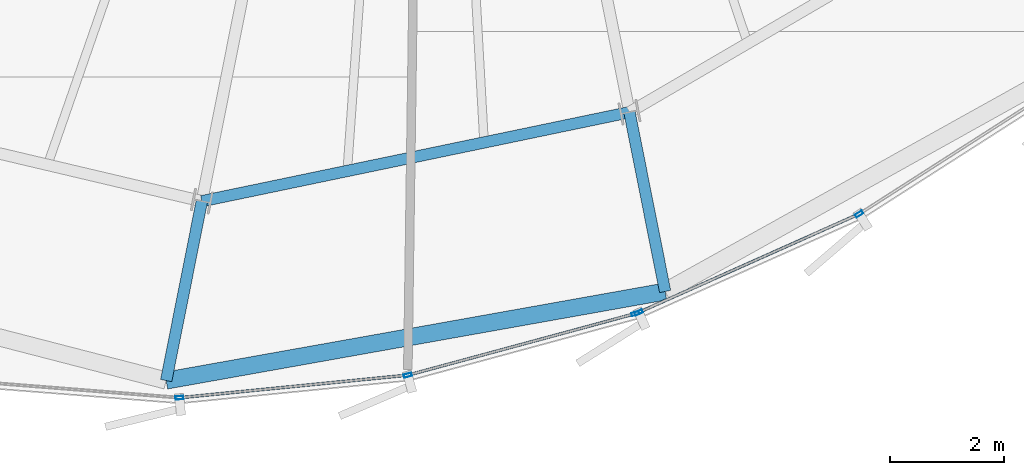
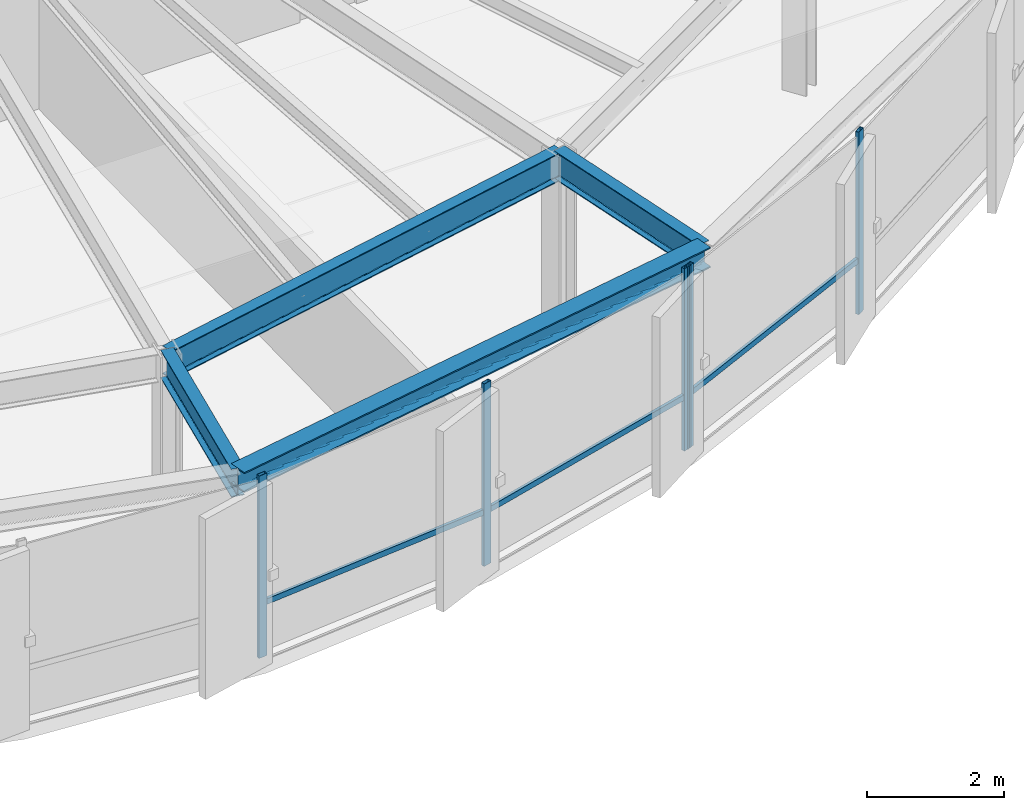
# One storey, part 6 of 34: 8 members, 4 beams, 2 elements without a shape of their own.
"""IFC4 building model written with IfcOpenShell, lengths in metres."""

from ifc_helpers import new_model, si_unit, direction, frame, origin, origin_2d, place, context, subcontext, project, spatial, hollow_rectangle, i_section, extrude, source, transform, mapped, material, layer, layer_set, material_profile, profile_set, type_object, element, aggregate, save


model = new_model("IFC4")

# Units and contexts
model_context = context("Model", 3, precision=1e-05, world=origin(), true_north=direction((0.0, 1.0)))
body_context = subcontext(model_context, "Body", "Model", "MODEL_VIEW")
ifc_project = project(units=[si_unit("LENGTHUNIT", "METRE"), si_unit("AREAUNIT", "SQUARE_METRE"), si_unit("VOLUMEUNIT", "CUBIC_METRE"), si_unit("PLANEANGLEUNIT", "RADIAN"), si_unit("MASSUNIT", "GRAM", prefix="KILO"), si_unit("THERMODYNAMICTEMPERATUREUNIT", "KELVIN")], contexts=[model_context])

# Site, building, storey
site_placement = place(None, origin())
site = spatial("IfcSite", under=ifc_project, at=site_placement, CompositionType="ELEMENT")
building_placement = place(site_placement, origin())
building = spatial("IfcBuilding", under=site, at=building_placement, Name="Kethvar Cultural Tower", CompositionType="ELEMENT")
storey_placement = place(building_placement, frame((0.0, 0.0, 214.89990234375)))
storey = spatial("IfcBuildingStorey", under=building, at=storey_placement, Name="L56", CompositionType="ELEMENT", Elevation=214.89990234375)

# Beams
ifc_material_1 = material(Name="Steel S355J2", Category="steel")
ifc_material_profile_1 = material_profile(ifc_material_1, i_section(OverallWidth=0.199951171875, OverallDepth=0.5, WebThickness=0.01025390625, FlangeThickness=0.01611328125, FilletRadius=0.02099609375, at=origin_2d()), Name="Steel S355J2 — IPE500")
ifc_profile_set_1 = profile_set([ifc_material_profile_1], Name="Steel S355J2 — IPE500")
beam_type_1 = type_object("IfcBeamType", Name="BM-IPE500", PredefinedType="BEAM", material=ifc_profile_set_1)
shared_shape_1 = source(origin(), body_context, "Body", "SweptSolid", [
    extrude(i_section(OverallWidth=0.199951171875, OverallDepth=0.5, WebThickness=0.01025390625, FlangeThickness=0.01611328125, FilletRadius=0.02099609375, at=origin_2d()), origin(), (0.0, 0.0, 1.0), 3.199951171875),
])
for number, where, z_axis, x_axis, name in (
    (1, (42.903564453125, 8.2109375, 2.988037109375), (-0.195088965533, -0.980785550224, 0.0), (0.980785550224, -0.195088965533, 0.0), "L56 Perimeter Cantilever Beam RC-12"),
    (2, (50.38671875, 9.7685546875, 2.988037109375), (0.195088965533, -0.980785550224, 0.0), (0.980785550224, 0.195088965533, 0.0), "L56 Perimeter Cantilever Beam RC-13"),
):
    element("IfcBeam", number, at=place(storey_placement, frame(where, z_axis=z_axis, x_axis=x_axis)), inside=storey, type_object=beam_type_1, Name=name, PredefinedType="BEAM", context=body_context, shape_type="MappedRepresentation", body=[
        mapped(shared_shape_1, transform((0.0, 0.0, 0.0), scale=1.0)),
    ])
shared_shape_2 = source(origin(), body_context, "Body", "SweptSolid", [
    extrude(i_section(OverallWidth=0.199951171875, OverallDepth=0.5, WebThickness=0.01025390625, FlangeThickness=0.01611328125, FilletRadius=0.02099609375, at=origin_2d()), origin(), (0.0, 0.0, 1.0), 7.6435546875),
])
beam_1_placement = place(storey_placement, frame((42.903564453125, 8.2109375, 2.988037109375), z_axis=(0.979016278161, 0.203782057834, 0.0), x_axis=(-0.203782057834, 0.979016278161, 0.0)))
element("IfcBeam", 3, at=beam_1_placement, inside=storey, type_object=beam_type_1, Name="L56 Column Ring Tie Beam CR-12", PredefinedType="BEAM", context=body_context, shape_type="MappedRepresentation", body=[
    mapped(shared_shape_2, transform((0.0, 0.0, 0.0), scale=1.0)),
])
ifc_material_profile_2 = material_profile(ifc_material_1, i_section(OverallWidth=0.300048828125, OverallDepth=0.360107421875, WebThickness=0.012451171875, FlangeThickness=0.0224609375, FilletRadius=0.027099609375, at=origin_2d()), Name="Steel S355J2 — HEB360")
ifc_profile_set_2 = profile_set([ifc_material_profile_2], Name="Steel S355J2 — HEB360")
beam_type_2 = type_object("IfcBeamType", Name="BM-SP360", PredefinedType="SPANDREL", material=ifc_profile_set_2)
shared_shape_3 = source(origin(), body_context, "Body", "SweptSolid", [
    extrude(i_section(OverallWidth=0.300048828125, OverallDepth=0.360107421875, WebThickness=0.012451171875, FlangeThickness=0.0224609375, FilletRadius=0.027099609375, at=origin_2d()), origin(), (0.0, 0.0, 1.0), 8.86962890625),
])
beam_2_placement = place(storey_placement, frame((42.279296875, 5.072509765625, 3.05810546875), z_axis=(0.984459032332, 0.175614389103, 0.0), x_axis=(-0.175614389103, 0.984459032332, 0.0)))
element("IfcBeam", 4, at=beam_2_placement, inside=storey, type_object=beam_type_2, Name="L56 Perimeter Spandrel Beam SP-12", PredefinedType="SPANDREL", context=body_context, shape_type="MappedRepresentation", body=[
    mapped(shared_shape_3, transform((0.0, 0.0, 0.0), scale=1.0)),
])

# Curtain wall, members
ifc_material_2 = material(Name="Aluminium 6063-T6", Category="aluminium")
ifc_layer = layer(ifc_material_2, 0.179931640625, Name="Aluminium 6063-T6", Category="aluminium")
ifc_layer_set = layer_set([ifc_layer], Name="Aluminium 6063-T6 (180 mm)")
curtain_wall_type = type_object("IfcCurtainWallType", Name="CW-SYS-04-Z34", PredefinedType="NOTDEFINED", material=ifc_layer_set)
curtain_wall_1_placement = place(storey_placement, origin())
curtain_wall_1 = element("IfcCurtainWall", 5, at=curtain_wall_1_placement, inside=storey, type_object=curtain_wall_type, Name="L56 Curtain Wall Run 04", PredefinedType="NOTDEFINED")
ifc_material_profile_3 = material_profile(ifc_material_2, hollow_rectangle(XDim=0.06005859375, YDim=0.139892578125, WallThickness=0.0048828125, at=origin_2d()), Name="Aluminium 6063-T6 — RHS140x60x5")
ifc_profile_set_3 = profile_set([ifc_material_profile_3], Name="Aluminium 6063-T6 — RHS140x60x5")
member_type_1 = type_object("IfcMemberType", Name="CW-SYS-04-Z34-MUL", PredefinedType="MULLION", material=ifc_profile_set_3)
shared_shape_4 = source(origin(), body_context, "Body", "SweptSolid", [
    extrude(hollow_rectangle(XDim=0.06005859375, YDim=0.139892578125, WallThickness=0.0048828125, at=origin_2d()), origin(), (0.0, 0.0, 1.0), 3.239990234375),
])
member_1_placement = place(storey_placement, frame((42.510498046875, 4.771728515625, 0.0), z_axis=(0.0, 0.0, 1.0), x_axis=(-0.098555572711, 0.995131548634, 0.0)))
member_1 = element("IfcMember", 6, at=member_1_placement, type_object=member_type_1, Name="CW-L56-R04 Mullion 5", PredefinedType="MULLION", context=body_context, shape_type="MappedRepresentation", body=[
    mapped(shared_shape_4, transform((0.0, 0.0, 0.0), scale=1.0)),
])
member_2_placement = place(storey_placement, frame((46.50634765625, 5.166015625, 0.0), z_axis=(0.0, 0.0, 1.0), x_axis=(-0.26124586151, 0.965272293109, 0.0)))
member_2 = element("IfcMember", 7, at=member_2_placement, type_object=member_type_1, Name="CW-L56-R04 Mullion 6", PredefinedType="MULLION", context=body_context, shape_type="MappedRepresentation", body=[
    mapped(shared_shape_4, transform((0.0, 0.0, 0.0), scale=1.0)),
])
member_3_placement = place(storey_placement, frame((50.490478515625, 6.244140625, 0.0), z_axis=(0.0, 0.0, 1.0), x_axis=(-0.26124586151, 0.965272293109, 0.0)))
member_3 = element("IfcMember", 8, at=member_3_placement, type_object=member_type_1, Name="CW-L56-R04 Mullion 7", PredefinedType="MULLION", context=body_context, shape_type="MappedRepresentation", body=[
    mapped(shared_shape_4, transform((0.0, 0.0, 0.0), scale=1.0)),
])

curtain_wall_2_placement = place(storey_placement, origin())
curtain_wall_2 = element("IfcCurtainWall", 9, at=curtain_wall_2_placement, inside=storey, type_object=curtain_wall_type, Name="L56 Curtain Wall Run 05", PredefinedType="NOTDEFINED")
member_4_placement = place(storey_placement, frame((50.547607421875, 6.264404296875, 0.0), z_axis=(0.0, 0.0, 1.0), x_axis=(-0.407995861762, 0.912983776847, 0.0)))
member_4 = element("IfcMember", 10, at=member_4_placement, type_object=member_type_1, Name="CW-L56-R05 Mullion 1", PredefinedType="MULLION", context=body_context, shape_type="MappedRepresentation", body=[
    mapped(shared_shape_4, transform((0.0, 0.0, 0.0), scale=1.0)),
])
member_5_placement = place(storey_placement, frame((54.405517578125, 7.9873046875, 0.0), z_axis=(0.0, 0.0, 1.0), x_axis=(-0.538947216006, 0.842339538642, 0.0)))
member_5 = element("IfcMember", 11, at=member_5_placement, type_object=member_type_1, Name="CW-L56-R05 Mullion 2", PredefinedType="MULLION", context=body_context, shape_type="MappedRepresentation", body=[
    mapped(shared_shape_4, transform((0.0, 0.0, 0.0), scale=1.0)),
])
ifc_material_profile_4 = material_profile(ifc_material_2, hollow_rectangle(XDim=0.050048828125, YDim=0.10009765625, WallThickness=0.00390625, at=origin_2d()), Name="Aluminium 6063-T6 — RHS100x50x4")
ifc_profile_set_4 = profile_set([ifc_material_profile_4], Name="Aluminium 6063-T6 — RHS100x50x4")
member_type_2 = type_object("IfcMemberType", Name="CW-SYS-04-Z34-TRN", PredefinedType="USERDEFINED", material=ifc_profile_set_4)
shared_shape_5 = source(origin(), body_context, "Body", "SweptSolid", [
    extrude(hollow_rectangle(XDim=0.050048828125, YDim=0.10009765625, WallThickness=0.00390625, at=origin_2d()), origin(), (0.0, 0.0, 1.0), 4.19384765625),
])
member_6_placement = place(storey_placement, frame((50.551513671875, 6.266357421875, 0.9501953125), z_axis=(0.912993486081, 0.407974134442, 0.0), x_axis=(-0.407974134442, 0.912993486081, 0.0)))
member_6 = element("IfcMember", 12, at=member_6_placement, type_object=member_type_2, Name="CW-L56-R05 Transom 1", ObjectType="TRANSOM", PredefinedType="USERDEFINED", context=body_context, shape_type="MappedRepresentation", body=[
    mapped(shared_shape_5, transform((0.0, 0.0, 0.0), scale=1.0)),
])
aggregate(curtain_wall_2, [member_4, member_5, member_6])

# Member
shared_shape_6 = source(origin(), body_context, "Body", "SweptSolid", [
    extrude(hollow_rectangle(XDim=0.050048828125, YDim=0.10009765625, WallThickness=0.00390625, at=origin_2d()), origin(), (0.0, 0.0, 1.0), 4.080078125),
])
member_7_placement = place(storey_placement, frame((46.548095703125, 5.17724609375, 0.9501953125), z_axis=(0.965272909099, 0.26124358549, 0.0), x_axis=(-0.26124358549, 0.965272909099, 0.0)))
member_7 = element("IfcMember", 13, at=member_7_placement, type_object=member_type_2, Name="CW-L56-R04 Transom 6", ObjectType="TRANSOM", PredefinedType="USERDEFINED", context=body_context, shape_type="MappedRepresentation", body=[
    mapped(shared_shape_6, transform((0.0, 0.0, 0.0), scale=1.0)),
])

shared_shape_7 = source(origin(), body_context, "Body", "SweptSolid", [
    extrude(hollow_rectangle(XDim=0.050048828125, YDim=0.10009765625, WallThickness=0.00390625, at=origin_2d()), origin(), (0.0, 0.0, 1.0), 3.947021484375),
])
member_8_placement = place(storey_placement, frame((42.553466796875, 4.77587890625, 0.9501953125), z_axis=(0.995133483972, 0.098536029337, 0.0), x_axis=(-0.098536029337, 0.995133483972, 0.0)))
member_8 = element("IfcMember", 14, at=member_8_placement, type_object=member_type_2, Name="CW-L56-R04 Transom 5", ObjectType="TRANSOM", PredefinedType="USERDEFINED", context=body_context, shape_type="MappedRepresentation", body=[
    mapped(shared_shape_7, transform((0.0, 0.0, 0.0), scale=1.0)),
])

aggregate(curtain_wall_1, [member_1, member_2, member_3, member_8, member_7])

save(model, "model.ifc")
